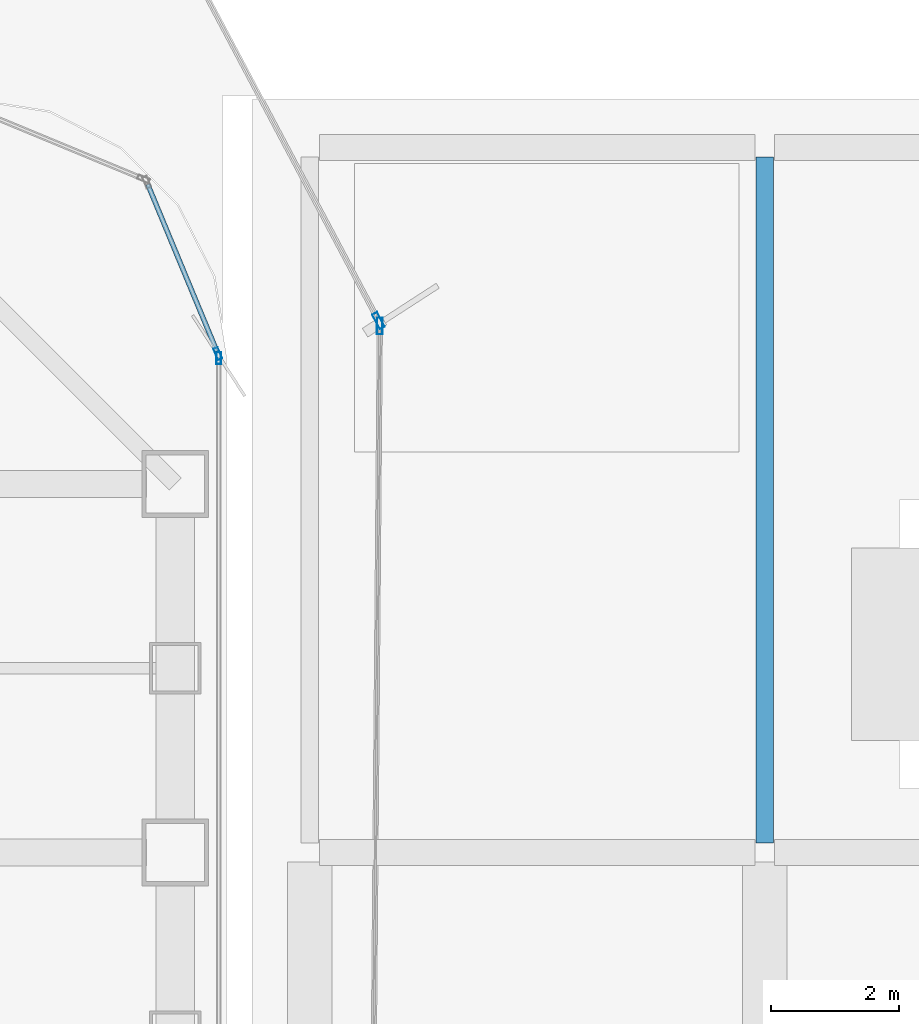
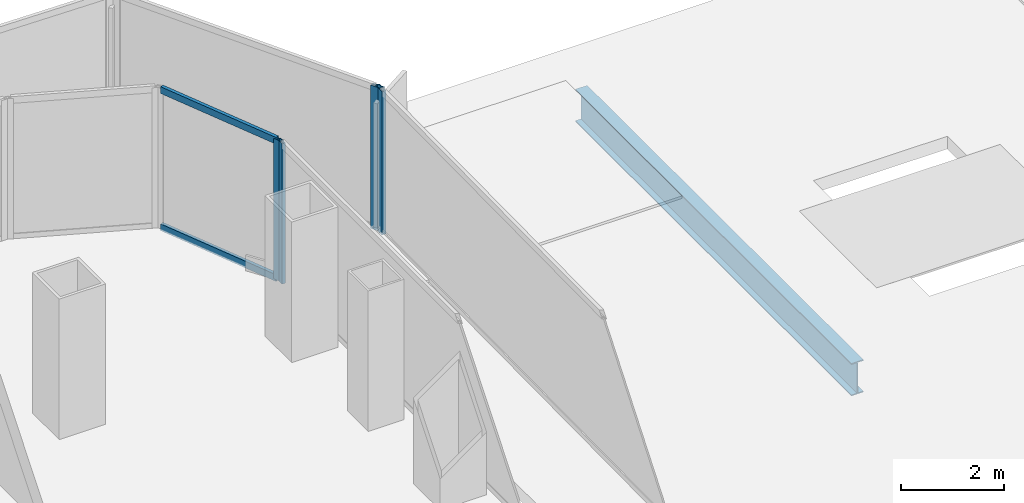
# One storey, part 18 of 27: 6 members, 1 beam, 4 elements without a shape of their own.
"""IFC4 building model written with IfcOpenShell, lengths in metres."""

from ifc_helpers import new_model, si_unit, direction, frame, origin, origin_2d, place, context, subcontext, project, spatial, hollow_rectangle, i_section, extrude, source, transform, mapped, material, layer, layer_set, material_profile, profile_set, type_object, element, aggregate, save


model = new_model("IFC4")

# Units and contexts
model_context = context("Model", 3, precision=1e-05, world=origin(), true_north=direction((0.0, 1.0)))
body_context = subcontext(model_context, "Body", "Model", "MODEL_VIEW")
ifc_project = project(units=[si_unit("LENGTHUNIT", "METRE"), si_unit("AREAUNIT", "SQUARE_METRE"), si_unit("VOLUMEUNIT", "CUBIC_METRE"), si_unit("PLANEANGLEUNIT", "RADIAN"), si_unit("MASSUNIT", "GRAM", prefix="KILO")], contexts=[model_context])

# Site, building, storey
site_placement = place(None, origin())
site = spatial("IfcSite", under=ifc_project, at=site_placement, CompositionType="ELEMENT")
building_placement = place(site_placement, origin())
building = spatial("IfcBuilding", under=site, at=building_placement, Name="Kolveth Station Tower", CompositionType="ELEMENT")
storey_placement = place(building_placement, frame((0.0, 0.0, 22.5)))
storey = spatial("IfcBuildingStorey", under=building, at=storey_placement, Name="L05", CompositionType="ELEMENT", Elevation=22.5)

# Beam
ifc_material_1 = material(Name="Steel S355", Category="steel")
ifc_material_profile_1 = material_profile(ifc_material_1, i_section(OverallWidth=0.26708984375, OverallDepth=0.76611328125, WebThickness=0.014892578125, FlangeThickness=0.023681640625, at=origin_2d()), Name="W760x185")
ifc_profile_set_1 = profile_set([ifc_material_profile_1], Name="Steel S355")
beam_type = type_object("IfcBeamType", Name="Beam_B3", PredefinedType="BEAM", material=ifc_profile_set_1)
shared_shape_1 = source(origin(), body_context, "Body", "SweptSolid", [
    extrude(i_section(OverallWidth=0.26708984375, OverallDepth=0.76611328125, WebThickness=0.014892578125, FlangeThickness=0.023681640625, at=origin_2d()), origin(), (0.0, 0.0, 1.0), 10.7001953125),
])
beam_placement = place(storey_placement, frame((55.39990234375, 28.89990234375, -0.68310546875), z_axis=(0.0, 1.0, 0.0), x_axis=(-1.0, 0.0, 0.0)))
element("IfcBeam", 1, at=beam_placement, inside=storey, type_object=beam_type, Name="L05 Station Spine Girder SBM-L05-NS-2-5", PredefinedType="BEAM", context=body_context, shape_type="MappedRepresentation", body=[
    mapped(shared_shape_1, transform((0.0, 0.0, 0.0), x_axis=(1.0, 0.0, 0.0), y_axis=(0.0, 1.0, 0.0), z_axis=(0.0, 0.0, 1.0), scale=1.0)),
])

# Curtain wall, member
ifc_material_2 = material(Name="Aluminium 6063-T6 and low-E dark glass", Category="aluminium")
ifc_layer_1 = layer(ifc_material_2, 0.179931640625)
ifc_layer_set_1 = layer_set([ifc_layer_1], Name="Aluminium 6063-T6 and low-E dark glass")
curtain_wall_type_1 = type_object("IfcCurtainWallType", Name="CurtainWall_CW-Z1", PredefinedType="NOTDEFINED", material=ifc_layer_set_1)
curtain_wall_1_placement = place(storey_placement, origin())
curtain_wall_1 = element("IfcCurtainWall", 2, at=curtain_wall_1_placement, inside=storey, type_object=curtain_wall_type_1, Name="L05 Inner Thermal Curtain Wall 3", PredefinedType="NOTDEFINED")
ifc_material_3 = material(Name="Black anodized aluminium 6063-T6", Category="aluminium")
ifc_material_profile_2 = material_profile(ifc_material_3, hollow_rectangle(XDim=0.074951171875, YDim=0.18994140625, WallThickness=0.0048828125, at=origin_2d()), Name="ALU-75x190x5")
ifc_profile_set_2 = profile_set([ifc_material_profile_2], Name="Black anodized aluminium 6063-T6")
member_type_1 = type_object("IfcMemberType", Name="Mullion_ML1", PredefinedType="MULLION", material=ifc_profile_set_2)
shared_shape_2 = source(origin(), body_context, "Body", "SweptSolid", [
    extrude(hollow_rectangle(XDim=0.074951171875, YDim=0.18994140625, WallThickness=0.0048828125, at=origin_2d()), origin(), (0.0, 0.0, 1.0), 3.320068359375),
])
member_1_placement = place(storey_placement, frame((46.8798828125, 36.46240234375, 0.0), z_axis=(0.0, 0.0, 1.0), x_axis=(-1.0, 0.0, 0.0)))
member_1 = element("IfcMember", 3, at=member_1_placement, type_object=member_type_1, Name="CW-Z1 mullion 2", PredefinedType="MULLION", context=body_context, shape_type="MappedRepresentation", body=[
    mapped(shared_shape_2, transform((0.0, 0.0, 0.0), x_axis=(1.0, 0.0, 0.0), y_axis=(0.0, 1.0, 0.0), z_axis=(0.0, 0.0, 1.0), scale=1.0)),
])
aggregate(curtain_wall_1, [member_1])

# Curtain wall, members
curtain_wall_2_placement = place(storey_placement, origin())
curtain_wall_2 = element("IfcCurtainWall", 4, at=curtain_wall_2_placement, inside=storey, type_object=curtain_wall_type_1, Name="L05 Inner Thermal Curtain Wall 4", PredefinedType="NOTDEFINED")
member_2_placement = place(storey_placement, frame((46.86572265625, 36.53466796875, 0.0), z_axis=(0.0, 0.0, 1.0), x_axis=(-0.923883857728, -0.382672990201, 0.0)))
member_2 = element("IfcMember", 5, at=member_2_placement, type_object=member_type_1, Name="CW-Z1 mullion 1", PredefinedType="MULLION", context=body_context, shape_type="MappedRepresentation", body=[
    mapped(shared_shape_2, transform((0.0, 0.0, 0.0), x_axis=(1.0, 0.0, 0.0), y_axis=(0.0, 1.0, 0.0), z_axis=(0.0, 0.0, 1.0), scale=1.0)),
])
ifc_material_profile_3 = material_profile(ifc_material_3, hollow_rectangle(XDim=0.074951171875, YDim=0.159912109375, WallThickness=0.0048828125, at=origin_2d()), Name="ALU-75x160x5")
ifc_profile_set_3 = profile_set([ifc_material_profile_3], Name="Black anodized aluminium 6063-T6")
member_type_2 = type_object("IfcMemberType", Name="Transom_TR1", PredefinedType="USERDEFINED", material=ifc_profile_set_3)
shared_shape_3 = source(origin(), body_context, "Body", "SweptSolid", [
    extrude(hollow_rectangle(XDim=0.074951171875, YDim=0.159912109375, WallThickness=0.0048828125, at=origin_2d()), origin(), (0.0, 0.0, 1.0), 2.819580078125),
])
member_3_placement = place(storey_placement, frame((46.851318359375, 36.5693359375, 0.03759765625), z_axis=(-0.382708655389, 0.923869084389, 0.0), x_axis=(-0.923869084389, -0.382708655389, 0.0)))
member_3 = element("IfcMember", 6, at=member_3_placement, type_object=member_type_2, Name="CW-Z1 transom 1.1", ObjectType="TRANSOM", PredefinedType="USERDEFINED", context=body_context, shape_type="MappedRepresentation", body=[
    mapped(shared_shape_3, transform((0.0, 0.0, 0.0), x_axis=(1.0, 0.0, 0.0), y_axis=(0.0, 1.0, 0.0), z_axis=(0.0, 0.0, 1.0), scale=1.0)),
])
member_4_placement = place(storey_placement, frame((46.851318359375, 36.5693359375, 3.282470703125), z_axis=(-0.382708655389, 0.923869084389, 0.0), x_axis=(-0.923869084389, -0.382708655389, 0.0)))
member_4 = element("IfcMember", 7, at=member_4_placement, type_object=member_type_2, Name="CW-Z1 transom 1.2", ObjectType="TRANSOM", PredefinedType="USERDEFINED", context=body_context, shape_type="MappedRepresentation", body=[
    mapped(shared_shape_3, transform((0.0, 0.0, 0.0), x_axis=(1.0, 0.0, 0.0), y_axis=(0.0, 1.0, 0.0), z_axis=(0.0, 0.0, 1.0), scale=1.0)),
])
aggregate(curtain_wall_2, [member_2, member_3, member_4])

# Curtain wall, member
ifc_material_4 = material(Name="Black anodized aluminium 6063-T6 and dark solar glass", Category="aluminium")
ifc_layer_2 = layer(ifc_material_4, 0.159912109375)
ifc_layer_set_2 = layer_set([ifc_layer_2], Name="Black anodized aluminium 6063-T6 and dark solar glass")
curtain_wall_type_2 = type_object("IfcCurtainWallType", Name="OUTER SKIN CW-OS", PredefinedType="NOTDEFINED", material=ifc_layer_set_2)
curtain_wall_3_placement = place(storey_placement, origin())
curtain_wall_3 = element("IfcCurtainWall", 8, at=curtain_wall_3_placement, inside=storey, type_object=curtain_wall_type_2, Name="L05 Outer Ventilated Skin Curtain Wall 2", PredefinedType="NOTDEFINED")
ifc_material_profile_4 = material_profile(ifc_material_3, hollow_rectangle(XDim=0.090087890625, YDim=0.260009765625, WallThickness=0.0048828125, at=origin_2d()), Name="ALU-90x260x5")
ifc_profile_set_4 = profile_set([ifc_material_profile_4], Name="Black anodized aluminium 6063-T6")
member_type_3 = type_object("IfcMemberType", Name="FIN MULLION ML-OS", PredefinedType="MULLION", material=ifc_profile_set_4)
shared_shape_4 = source(origin(), body_context, "Body", "SweptSolid", [
    extrude(hollow_rectangle(XDim=0.090087890625, YDim=0.260009765625, WallThickness=0.0048828125, at=origin_2d()), origin(), (0.0, 0.0, 1.0), 3.389892578125),
])
member_5_placement = place(storey_placement, frame((49.3935546875, 36.96484375, 0.0), z_axis=(0.0, 0.0, 1.0), x_axis=(-0.999965225678, 0.008339510403, 0.0)))
member_5 = element("IfcMember", 9, at=member_5_placement, type_object=member_type_3, Name="CW-OS mullion 2", PredefinedType="MULLION", context=body_context, shape_type="MappedRepresentation", body=[
    mapped(shared_shape_4, transform((0.0, 0.0, 0.0), x_axis=(1.0, 0.0, 0.0), y_axis=(0.0, 1.0, 0.0), z_axis=(0.0, 0.0, 1.0), scale=1.0)),
])
aggregate(curtain_wall_3, [member_5])

curtain_wall_4_placement = place(storey_placement, origin())
curtain_wall_4 = element("IfcCurtainWall", 10, at=curtain_wall_4_placement, inside=storey, type_object=curtain_wall_type_2, Name="L05 Outer Ventilated Skin Curtain Wall 3", PredefinedType="NOTDEFINED")
member_6_placement = place(storey_placement, frame((49.372802734375, 37.049560546875, 0.0), z_axis=(0.0, 0.0, 1.0), x_axis=(-0.883526392707, -0.468381376008, 0.0)))
member_6 = element("IfcMember", 11, at=member_6_placement, type_object=member_type_3, Name="CW-OS mullion 1", PredefinedType="MULLION", context=body_context, shape_type="MappedRepresentation", body=[
    mapped(shared_shape_4, transform((0.0, 0.0, 0.0), x_axis=(1.0, 0.0, 0.0), y_axis=(0.0, 1.0, 0.0), z_axis=(0.0, 0.0, 1.0), scale=1.0)),
])
aggregate(curtain_wall_4, [member_6])

save(model, "model.ifc")
